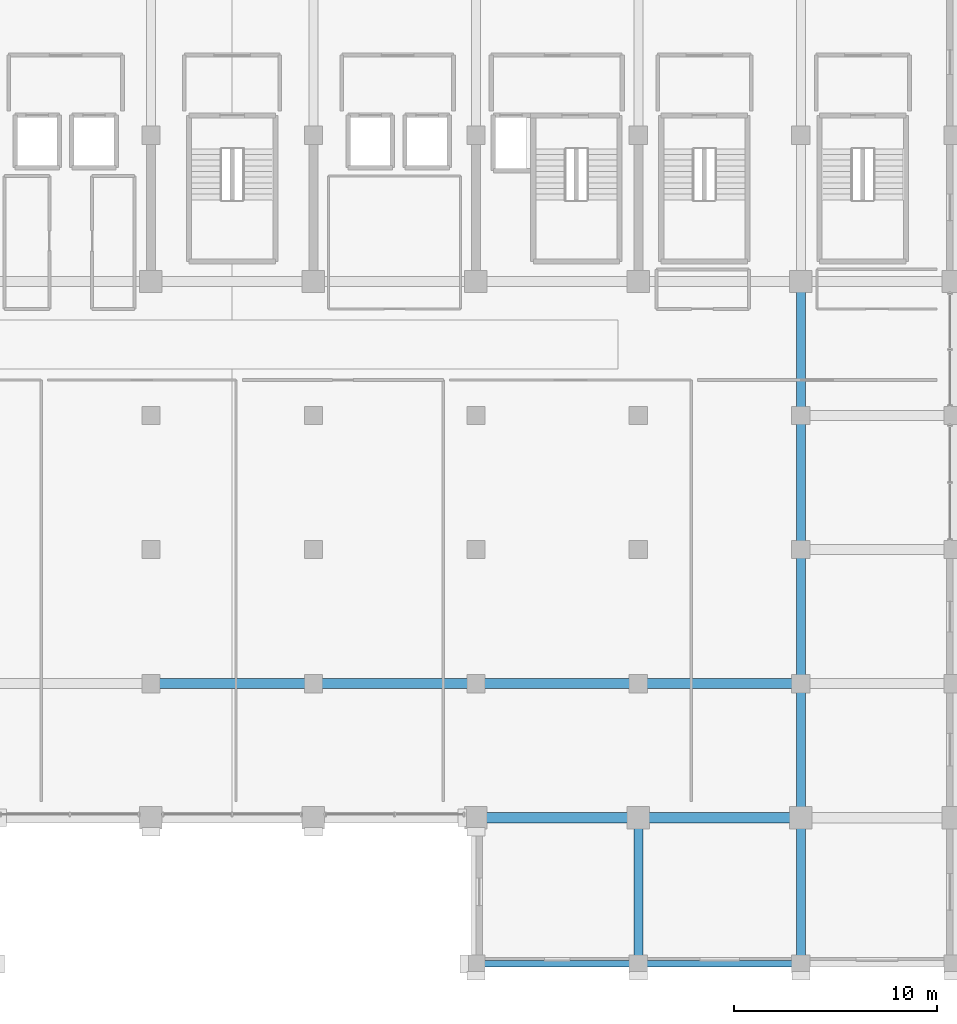
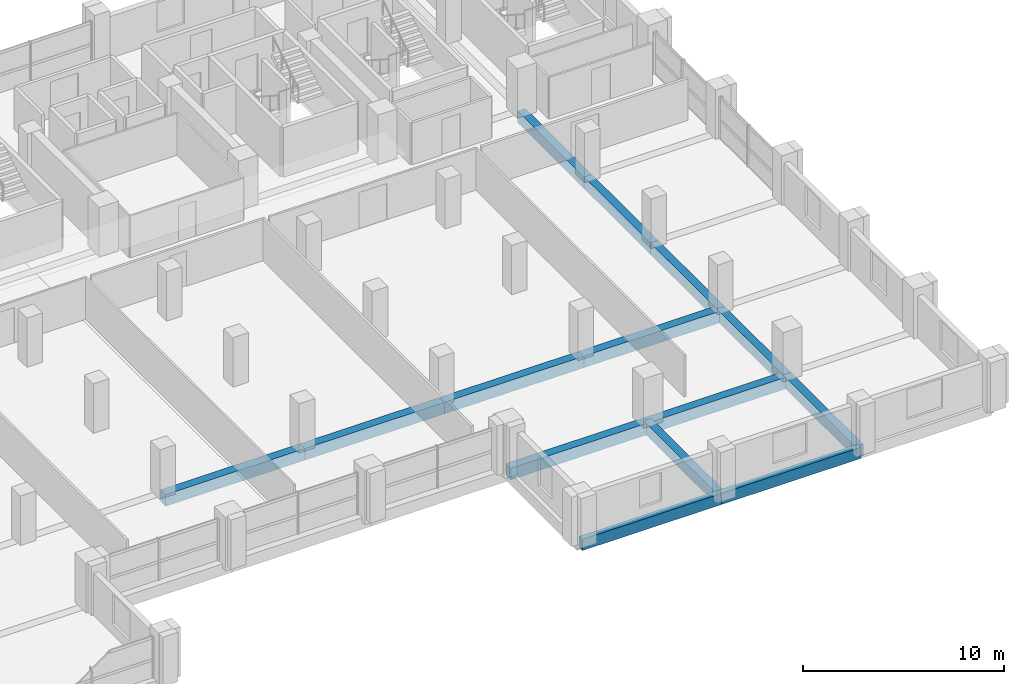
# One storey, part 7 of 21: 14 beams.
"""IFC4 building model written with IfcOpenShell, lengths in metres."""

from ifc_helpers import new_model, si_unit, direction, frame, origin, origin_2d, place, context, subcontext, project, spatial, rectangle, extrude, material, material_profile, profile_set, type_object, element, save


model = new_model("IFC4")

# Units and contexts
model_context = context("Model", 3, precision=1e-05, world=origin(), true_north=direction((0.0, 1.0)))
body_context = subcontext(model_context, "Body", "Model", "MODEL_VIEW")
ifc_project = project(units=[si_unit("LENGTHUNIT", "METRE"), si_unit("AREAUNIT", "SQUARE_METRE"), si_unit("VOLUMEUNIT", "CUBIC_METRE"), si_unit("PLANEANGLEUNIT", "RADIAN"), si_unit("MASSUNIT", "GRAM", prefix="KILO")], contexts=[model_context])

# Site, building, storey
site_placement = place(None, origin())
site = spatial("IfcSite", under=ifc_project, at=site_placement, CompositionType="ELEMENT")
building_placement = place(site_placement, origin())
building = spatial("IfcBuilding", under=site, at=building_placement, Name="Akrevak Sports Hall", CompositionType="ELEMENT")
storey_placement = place(building_placement, frame((0.0, 0.0, 34.050048828125)))
storey = spatial("IfcBuildingStorey", under=building, at=storey_placement, Name="L07", CompositionType="ELEMENT", Elevation=34.050048828125)

# Beams
ifc_material = material(Name="Concrete C40/50", Category="concrete")
ifc_material_profile_1 = material_profile(ifc_material, rectangle(XDim=0.449951171875, YDim=0.699951171875, at=origin_2d()), Name="BM 450x700", Category="concrete")
ifc_profile_set_1 = profile_set([ifc_material_profile_1], Name="Concrete C40/50")
beam_type_1 = type_object("IfcBeamType", Name="STR-BM-RC450x700", PredefinedType="BEAM", material=ifc_profile_set_1)
for number, where, z_axis, x_axis, name in (
    (1, (100.0, 21.60009765625, -0.35009765625), (0.0, 1.0, 0.0), (-1.0, 0.0, 0.0), "Girder 14/D-E (L07)"),
    (2, (108.0, 21.60009765625, -0.35009765625), (0.0, 1.0, 0.0), (-1.0, 0.0, 0.0), "Girder 15/D-E (L07)"),
):
    element("IfcBeam", number, at=place(storey_placement, frame(where, z_axis=z_axis, x_axis=x_axis)), inside=storey, type_object=beam_type_1, Name=name, PredefinedType="BEAM", context=body_context, shape_type="SweptSolid", body=[
        extrude(rectangle(XDim=0.449951171875, YDim=0.699951171875, at=origin_2d()), origin(), (0.0, 0.0, 1.0), 7.199951171875),
    ])
beam_1_placement = place(storey_placement, frame((108.0, 28.800048828125, -0.35009765625), z_axis=(0.0, 1.0, 0.0), x_axis=(-1.0, 0.0, 0.0)))
element("IfcBeam", 3, at=beam_1_placement, inside=storey, type_object=beam_type_1, Name="Girder 15/E-F (L07)", PredefinedType="BEAM", context=body_context, shape_type="SweptSolid", body=[
    extrude(rectangle(XDim=0.449951171875, YDim=0.699951171875, at=origin_2d()), origin(), (0.0, 0.0, 1.0), 6.599853515625),
])
for number, where, z_axis, x_axis, name in (
    (4, (108.0, 35.39990234375, -0.35009765625), (0.0, 1.0, 0.0), (-1.0, 0.0, 0.0), "Girder 15/F-G (L07)"),
    (5, (108.0, 42.0, -0.35009765625), (0.0, 1.0, 0.0), (-1.0, 0.0, 0.0), "Girder 15/G-H (L07)"),
):
    element("IfcBeam", number, at=place(storey_placement, frame(where, z_axis=z_axis, x_axis=x_axis)), inside=storey, type_object=beam_type_1, Name=name, PredefinedType="BEAM", context=body_context, shape_type="SweptSolid", body=[
        extrude(rectangle(XDim=0.449951171875, YDim=0.699951171875, at=origin_2d()), origin(), (0.0, 0.0, 1.0), 6.60009765625),
    ])
beam_2_placement = place(storey_placement, frame((108.0, 48.60009765625, -0.35009765625), z_axis=(0.0, 1.0, 0.0), x_axis=(-1.0, 0.0, 0.0)))
element("IfcBeam", 6, at=beam_2_placement, inside=storey, type_object=beam_type_1, Name="Girder 15/H-I (L07)", PredefinedType="BEAM", context=body_context, shape_type="SweptSolid", body=[
    extrude(rectangle(XDim=0.449951171875, YDim=0.699951171875, at=origin_2d()), origin(), (0.0, 0.0, 1.0), 6.599853515625),
])
ifc_material_profile_2 = material_profile(ifc_material, rectangle(XDim=0.5, YDim=0.699951171875, at=origin_2d()), Name="BM 500x700", Category="concrete")
ifc_profile_set_2 = profile_set([ifc_material_profile_2], Name="Concrete C40/50")
beam_type_2 = type_object("IfcBeamType", Name="STR-BM-RC500x700", PredefinedType="BEAM", material=ifc_profile_set_2)
for number, where, z_axis, x_axis, name in (
    (7, (92.0, 28.800048828125, -0.35009765625), (1.0, 0.0, 0.0), (0.0, 1.0, 0.0), "Girder E/13-14 (L07)"),
    (8, (100.0, 28.800048828125, -0.35009765625), (1.0, 0.0, 0.0), (0.0, 1.0, 0.0), "Girder E/14-15 (L07)"),
    (9, (76.0, 35.39990234375, -0.35009765625), (1.0, 0.0, 0.0), (0.0, 1.0, 0.0), "Girder F/11-12 (L07)"),
    (10, (84.0, 35.39990234375, -0.35009765625), (1.0, 0.0, 0.0), (0.0, 1.0, 0.0), "Girder F/12-13 (L07)"),
    (11, (92.0, 35.39990234375, -0.35009765625), (1.0, 0.0, 0.0), (0.0, 1.0, 0.0), "Girder F/13-14 (L07)"),
    (12, (100.0, 35.39990234375, -0.35009765625), (1.0, 0.0, 0.0), (0.0, 1.0, 0.0), "Girder F/14-15 (L07)"),
):
    element("IfcBeam", number, at=place(storey_placement, frame(where, z_axis=z_axis, x_axis=x_axis)), inside=storey, type_object=beam_type_2, Name=name, PredefinedType="BEAM", context=body_context, shape_type="SweptSolid", body=[
        extrude(rectangle(XDim=0.5, YDim=0.699951171875, at=origin_2d()), origin(), (0.0, 0.0, 1.0), 8.0),
    ])
ifc_material_profile_3 = material_profile(ifc_material, rectangle(XDim=0.320068359375, YDim=0.679931640625, at=origin_2d()), Name="SPD 320x680", Category="concrete")
ifc_profile_set_3 = profile_set([ifc_material_profile_3], Name="Concrete C40/50")
beam_type_3 = type_object("IfcBeamType", Name="STR-SPD-RC320x680", PredefinedType="SPANDREL", material=ifc_profile_set_3)
for number, where, z_axis, x_axis, name in (
    (13, (92.0, 21.60009765625, -0.340087890625), (1.0, 0.0, 0.0), (0.0, 1.0, 0.0), "Girder D/13-14 (L07)"),
    (14, (100.0, 21.60009765625, -0.340087890625), (1.0, 0.0, 0.0), (0.0, 1.0, 0.0), "Girder D/14-15 (L07)"),
):
    element("IfcBeam", number, at=place(storey_placement, frame(where, z_axis=z_axis, x_axis=x_axis)), inside=storey, type_object=beam_type_3, Name=name, PredefinedType="SPANDREL", context=body_context, shape_type="SweptSolid", body=[
        extrude(rectangle(XDim=0.320068359375, YDim=0.679931640625, at=origin_2d()), origin(), (0.0, 0.0, 1.0), 8.0),
    ])

save(model, "model.ifc")
